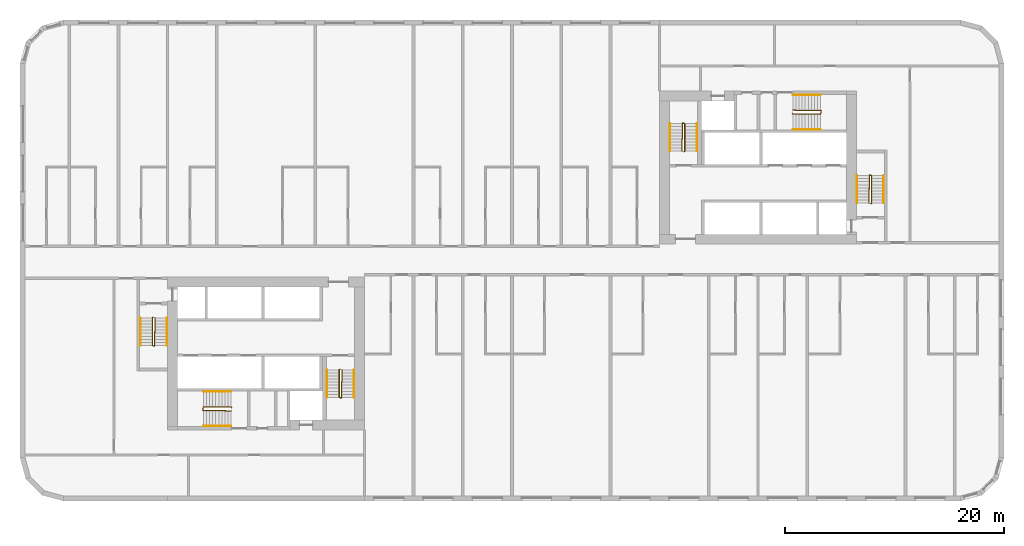
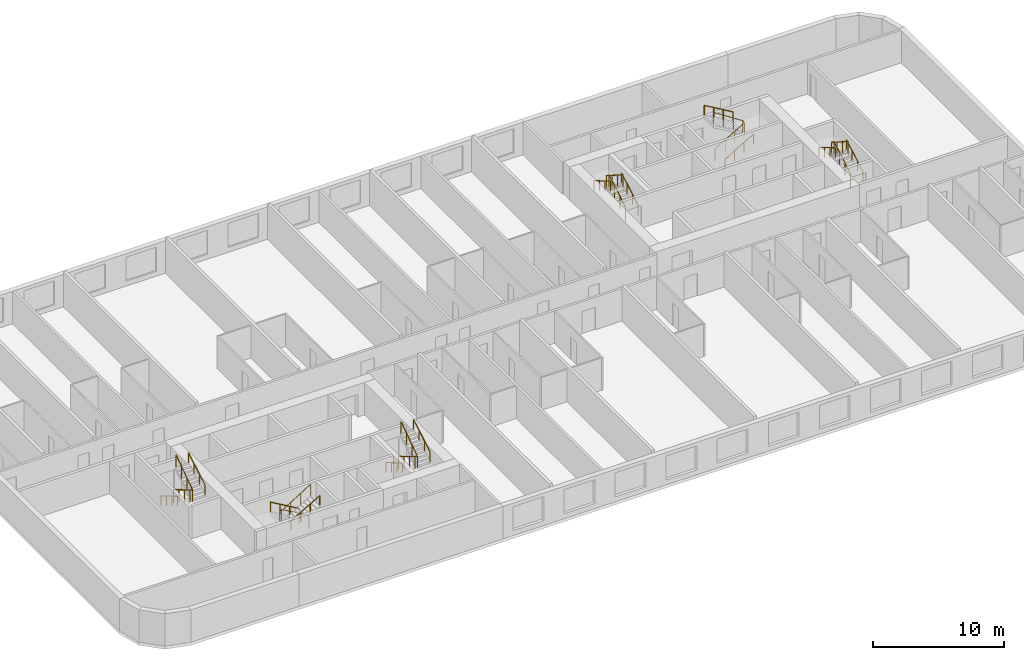
# One storey, part 12 of 12: 18 railings.
"""IFC4 building model written with IfcOpenShell, lengths in metres."""

from ifc_helpers import new_model, si_unit, direction, frame, origin, origin_2d, place, context, subcontext, project, spatial, circle, extrude, material, type_object, element, save


model = new_model("IFC4")

# Units and contexts
model_context = context("Model", 3, precision=1e-05, world=origin(), true_north=direction((0.0, 1.0)))
body_context = subcontext(model_context, "Body", "Model", "MODEL_VIEW")
ifc_project = project(units=[si_unit("LENGTHUNIT", "METRE"), si_unit("AREAUNIT", "SQUARE_METRE"), si_unit("VOLUMEUNIT", "CUBIC_METRE"), si_unit("PLANEANGLEUNIT", "RADIAN"), si_unit("MASSUNIT", "GRAM", prefix="KILO")], contexts=[model_context])

# Site, building, storey
site_placement = place(None, origin())
site = spatial("IfcSite", under=ifc_project, at=site_placement, CompositionType="ELEMENT")
building_placement = place(site_placement, origin())
building = spatial("IfcBuilding", under=site, at=building_placement, Name="Kajstack Hotel Tower", CompositionType="ELEMENT")
storey_placement = place(building_placement, frame((0.0, 0.0, 76.5)))
storey = spatial("IfcBuildingStorey", under=building, at=storey_placement, Name="L14", CompositionType="ELEMENT", Elevation=76.5)

# Railings
ifc_material = material(Name="Steel S355J2", Category="steel")
railing_type_1 = type_object("IfcRailingType", Name="Stair guard 1100", PredefinedType="GUARDRAIL", material=ifc_material)
railing_1_placement = place(storey_placement, frame((-32.85009765625, -5.199951171875, 0.0)))
element("IfcRailing", 1, at=railing_1_placement, inside=storey, type_object=railing_type_1, Name="L14 W1 stair guard 1", PredefinedType="GUARDRAIL", context=body_context, shape_type="SweptSolid", body=[
    extrude(circle(Radius=0.02392578125, at=origin_2d()), frame((0.0, 0.0, 1.076171875), z_axis=(-0.277450376394, -0.278810427259, 0.919394384522), x_axis=(0.708833529934, -0.705375805398, 0.0)), (0.0, 0.0, 1.0), 0.179443359375),
    extrude(circle(Radius=0.02392578125, at=origin_2d()), frame((-0.0498046875, -0.050048828125, 1.2412109375), z_axis=(0.0, -0.861560626758, 0.507654692109), x_axis=(1.0, 0.0, 0.0)), (0.0, 0.0, 1.0), 2.925048828125),
    extrude(circle(Radius=0.02392578125, at=origin_2d()), frame((-0.0498046875, -2.570068359375, 2.72607421875), z_axis=(0.970072785993, -0.242814311512, 0.0), x_axis=(0.242814311512, 0.970072785993, 0.0)), (0.0, 0.0, 1.0), 0.2060546875),
    extrude(circle(Radius=0.02392578125, at=origin_2d()), frame((0.150146484375, -2.6201171875, 2.72607421875), z_axis=(0.016384601254, 0.84136925563, 0.540212292087), x_axis=(-0.999810440751, 0.019470042781, 0.0)), (0.0, 0.0, 1.0), 3.0546875),
    extrude(circle(Radius=0.02099609375, at=origin_2d()), origin(), (0.0, 0.0, 1.0), 1.052001953125),
    extrude(circle(Radius=0.02099609375, at=origin_2d()), frame((-0.0498046875, -0.050048828125, 0.1650390625)), (0.0, 0.0, 1.0), 1.052001953125),
    extrude(circle(Radius=0.02099609375, at=origin_2d()), frame((-0.0498046875, -0.89013671875, 0.659912109375)), (0.0, 0.0, 1.0), 1.052001953125),
    extrude(circle(Radius=0.02099609375, at=origin_2d()), frame((-0.0498046875, -1.72998046875, 1.155029296875)), (0.0, 0.0, 1.0), 1.052001953125),
    extrude(circle(Radius=0.02099609375, at=origin_2d()), frame((-0.0498046875, -2.570068359375, 1.64990234375)), (0.0, 0.0, 1.0), 1.052001953125),
    extrude(circle(Radius=0.02099609375, at=origin_2d()), frame((0.150146484375, -2.6201171875, 1.64990234375)), (0.0, 0.0, 1.0), 1.052001953125),
    extrude(circle(Radius=0.02099609375, at=origin_2d()), frame((0.166748046875, -1.763427734375, 2.199951171875)), (0.0, 0.0, 1.0), 1.052001953125),
    extrude(circle(Radius=0.02099609375, at=origin_2d()), frame((0.18359375, -0.90673828125, 2.75)), (0.0, 0.0, 1.0), 1.052001953125),
    extrude(circle(Radius=0.02099609375, at=origin_2d()), frame((0.2001953125, -0.050048828125, 3.300048828125)), (0.0, 0.0, 1.0), 1.052001953125),
])
railing_2_placement = place(storey_placement, frame((-15.75, -9.949951171875, 0.0)))
element("IfcRailing", 2, at=railing_2_placement, inside=storey, type_object=railing_type_1, Name="L14 W2 stair guard 1", PredefinedType="GUARDRAIL", context=body_context, shape_type="SweptSolid", body=[
    extrude(circle(Radius=0.02392578125, at=origin_2d()), frame((0.0, 0.0, 1.076171875), z_axis=(-0.278705021027, -0.278705021027, 0.919046801044), x_axis=(0.707106781187, -0.707106781187, 0.0)), (0.0, 0.0, 1.0), 0.1796875),
    extrude(circle(Radius=0.02392578125, at=origin_2d()), frame((-0.050048828125, -0.050048828125, 1.2412109375), z_axis=(0.0, -0.861560626758, 0.507654692109), x_axis=(1.0, 0.0, 0.0)), (0.0, 0.0, 1.0), 2.925048828125),
    extrude(circle(Radius=0.02392578125, at=origin_2d()), frame((-0.050048828125, -2.570068359375, 2.72607421875), z_axis=(0.970072785993, -0.242814311512, 0.0), x_axis=(0.242814311512, 0.970072785993, 0.0)), (0.0, 0.0, 1.0), 0.2060546875),
    extrude(circle(Radius=0.02392578125, at=origin_2d()), frame((0.14990234375, -2.6201171875, 2.72607421875), z_axis=(0.016384601254, 0.84136925563, 0.540212292087), x_axis=(-0.999810440751, 0.019470042781, 0.0)), (0.0, 0.0, 1.0), 3.0546875),
    extrude(circle(Radius=0.02099609375, at=origin_2d()), origin(), (0.0, 0.0, 1.0), 1.052001953125),
    extrude(circle(Radius=0.02099609375, at=origin_2d()), frame((-0.050048828125, -0.050048828125, 0.1650390625)), (0.0, 0.0, 1.0), 1.052001953125),
    extrude(circle(Radius=0.02099609375, at=origin_2d()), frame((-0.050048828125, -0.89013671875, 0.659912109375)), (0.0, 0.0, 1.0), 1.052001953125),
    extrude(circle(Radius=0.02099609375, at=origin_2d()), frame((-0.050048828125, -1.72998046875, 1.155029296875)), (0.0, 0.0, 1.0), 1.052001953125),
    extrude(circle(Radius=0.02099609375, at=origin_2d()), frame((-0.050048828125, -2.570068359375, 1.64990234375)), (0.0, 0.0, 1.0), 1.052001953125),
    extrude(circle(Radius=0.02099609375, at=origin_2d()), frame((0.14990234375, -2.6201171875, 1.64990234375)), (0.0, 0.0, 1.0), 1.052001953125),
    extrude(circle(Radius=0.02099609375, at=origin_2d()), frame((0.16650390625, -1.763427734375, 2.199951171875)), (0.0, 0.0, 1.0), 1.052001953125),
    extrude(circle(Radius=0.02099609375, at=origin_2d()), frame((0.183349609375, -0.90673828125, 2.75)), (0.0, 0.0, 1.0), 1.052001953125),
    extrude(circle(Radius=0.02099609375, at=origin_2d()), frame((0.199951171875, -0.050048828125, 3.300048828125)), (0.0, 0.0, 1.0), 1.052001953125),
])
railing_3_placement = place(storey_placement, frame((-25.64990234375, -13.449951171875, 0.0)))
element("IfcRailing", 3, at=railing_3_placement, inside=storey, type_object=railing_type_1, Name="L14 W3 stair guard 1", PredefinedType="GUARDRAIL", context=body_context, shape_type="SweptSolid", body=[
    extrude(circle(Radius=0.02392578125, at=origin_2d()), frame((0.0, 0.0, 1.076171875), z_axis=(-0.278705021027, 0.278705021027, 0.919046801044), x_axis=(-0.707106781187, -0.707106781187, 0.0)), (0.0, 0.0, 1.0), 0.1796875),
    extrude(circle(Radius=0.02392578125, at=origin_2d()), frame((-0.050048828125, 0.050048828125, 1.2412109375), z_axis=(-0.861560626758, 0.0, 0.507654692109), x_axis=(0.0, -1.0, 0.0)), (0.0, 0.0, 1.0), 2.925048828125),
    extrude(circle(Radius=0.02392578125, at=origin_2d()), frame((-2.570068359375, 0.050048828125, 2.72607421875), z_axis=(-0.164529134168, -0.986372223864, 0.0), x_axis=(0.986372223864, -0.164529134168, 0.0)), (0.0, 0.0, 1.0), 0.30419921875),
    extrude(circle(Radius=0.02392578125, at=origin_2d()), frame((-2.6201171875, -0.25, 2.72607421875), z_axis=(0.84136925563, -0.016384601254, 0.540212292087), x_axis=(0.019470042781, 0.999810440751, 0.0)), (0.0, 0.0, 1.0), 3.0546875),
    extrude(circle(Radius=0.02099609375, at=origin_2d()), origin(), (0.0, 0.0, 1.0), 1.052001953125),
    extrude(circle(Radius=0.02099609375, at=origin_2d()), frame((-0.050048828125, 0.050048828125, 0.1650390625)), (0.0, 0.0, 1.0), 1.052001953125),
    extrude(circle(Radius=0.02099609375, at=origin_2d()), frame((-0.89013671875, 0.050048828125, 0.659912109375)), (0.0, 0.0, 1.0), 1.052001953125),
    extrude(circle(Radius=0.02099609375, at=origin_2d()), frame((-1.72998046875, 0.050048828125, 1.155029296875)), (0.0, 0.0, 1.0), 1.052001953125),
    extrude(circle(Radius=0.02099609375, at=origin_2d()), frame((-2.570068359375, 0.050048828125, 1.64990234375)), (0.0, 0.0, 1.0), 1.052001953125),
    extrude(circle(Radius=0.02099609375, at=origin_2d()), frame((-2.6201171875, -0.25, 1.64990234375)), (0.0, 0.0, 1.0), 1.052001953125),
    extrude(circle(Radius=0.02099609375, at=origin_2d()), frame((-1.763427734375, -0.2666015625, 2.199951171875)), (0.0, 0.0, 1.0), 1.052001953125),
    extrude(circle(Radius=0.02099609375, at=origin_2d()), frame((-0.90673828125, -0.283447265625, 2.75)), (0.0, 0.0, 1.0), 1.052001953125),
    extrude(circle(Radius=0.02099609375, at=origin_2d()), frame((-0.050048828125, -0.300048828125, 3.300048828125)), (0.0, 0.0, 1.0), 1.052001953125),
])
railing_4_placement = place(storey_placement, frame((32.85009765625, 5.199951171875, 0.0)))
element("IfcRailing", 4, at=railing_4_placement, inside=storey, type_object=railing_type_1, Name="L14 E1 stair guard 1", PredefinedType="GUARDRAIL", context=body_context, shape_type="SweptSolid", body=[
    extrude(circle(Radius=0.02392578125, at=origin_2d()), frame((0.0, 0.0, 1.076171875), z_axis=(0.277450376394, 0.278810427259, 0.919394384522), x_axis=(-0.708833529934, 0.705375805398, 0.0)), (0.0, 0.0, 1.0), 0.179443359375),
    extrude(circle(Radius=0.02392578125, at=origin_2d()), frame((0.0498046875, 0.050048828125, 1.2412109375), z_axis=(0.0, 0.861560626758, 0.507654692109), x_axis=(-1.0, 0.0, 0.0)), (0.0, 0.0, 1.0), 2.925048828125),
    extrude(circle(Radius=0.02392578125, at=origin_2d()), frame((0.0498046875, 2.570068359375, 2.72607421875), z_axis=(-0.970072785993, 0.242814311512, 0.0), x_axis=(-0.242814311512, -0.970072785993, 0.0)), (0.0, 0.0, 1.0), 0.2060546875),
    extrude(circle(Radius=0.02392578125, at=origin_2d()), frame((-0.150146484375, 2.6201171875, 2.72607421875), z_axis=(-0.016384601254, -0.84136925563, 0.540212292087), x_axis=(0.999810440751, -0.019470042781, 0.0)), (0.0, 0.0, 1.0), 3.0546875),
    extrude(circle(Radius=0.02099609375, at=origin_2d()), origin(), (0.0, 0.0, 1.0), 1.052001953125),
    extrude(circle(Radius=0.02099609375, at=origin_2d()), frame((0.0498046875, 0.050048828125, 0.1650390625)), (0.0, 0.0, 1.0), 1.052001953125),
    extrude(circle(Radius=0.02099609375, at=origin_2d()), frame((0.0498046875, 0.89013671875, 0.659912109375)), (0.0, 0.0, 1.0), 1.052001953125),
    extrude(circle(Radius=0.02099609375, at=origin_2d()), frame((0.0498046875, 1.72998046875, 1.155029296875)), (0.0, 0.0, 1.0), 1.052001953125),
    extrude(circle(Radius=0.02099609375, at=origin_2d()), frame((0.0498046875, 2.570068359375, 1.64990234375)), (0.0, 0.0, 1.0), 1.052001953125),
    extrude(circle(Radius=0.02099609375, at=origin_2d()), frame((-0.150146484375, 2.6201171875, 1.64990234375)), (0.0, 0.0, 1.0), 1.052001953125),
    extrude(circle(Radius=0.02099609375, at=origin_2d()), frame((-0.166748046875, 1.763427734375, 2.199951171875)), (0.0, 0.0, 1.0), 1.052001953125),
    extrude(circle(Radius=0.02099609375, at=origin_2d()), frame((-0.18359375, 0.90673828125, 2.75)), (0.0, 0.0, 1.0), 1.052001953125),
    extrude(circle(Radius=0.02099609375, at=origin_2d()), frame((-0.2001953125, 0.050048828125, 3.300048828125)), (0.0, 0.0, 1.0), 1.052001953125),
])
railing_5_placement = place(storey_placement, frame((15.75, 9.949951171875, 0.0)))
element("IfcRailing", 5, at=railing_5_placement, inside=storey, type_object=railing_type_1, Name="L14 E2 stair guard 1", PredefinedType="GUARDRAIL", context=body_context, shape_type="SweptSolid", body=[
    extrude(circle(Radius=0.02392578125, at=origin_2d()), frame((0.0, 0.0, 1.076171875), z_axis=(0.278705021027, 0.278705021027, 0.919046801044), x_axis=(-0.707106781187, 0.707106781187, 0.0)), (0.0, 0.0, 1.0), 0.1796875),
    extrude(circle(Radius=0.02392578125, at=origin_2d()), frame((0.050048828125, 0.050048828125, 1.2412109375), z_axis=(0.0, 0.861560626758, 0.507654692109), x_axis=(-1.0, 0.0, 0.0)), (0.0, 0.0, 1.0), 2.925048828125),
    extrude(circle(Radius=0.02392578125, at=origin_2d()), frame((0.050048828125, 2.570068359375, 2.72607421875), z_axis=(-0.970072785993, 0.242814311512, 0.0), x_axis=(-0.242814311512, -0.970072785993, 0.0)), (0.0, 0.0, 1.0), 0.2060546875),
    extrude(circle(Radius=0.02392578125, at=origin_2d()), frame((-0.14990234375, 2.6201171875, 2.72607421875), z_axis=(-0.016384601254, -0.84136925563, 0.540212292087), x_axis=(0.999810440751, -0.019470042781, 0.0)), (0.0, 0.0, 1.0), 3.0546875),
    extrude(circle(Radius=0.02099609375, at=origin_2d()), origin(), (0.0, 0.0, 1.0), 1.052001953125),
    extrude(circle(Radius=0.02099609375, at=origin_2d()), frame((0.050048828125, 0.050048828125, 0.1650390625)), (0.0, 0.0, 1.0), 1.052001953125),
    extrude(circle(Radius=0.02099609375, at=origin_2d()), frame((0.050048828125, 0.89013671875, 0.659912109375)), (0.0, 0.0, 1.0), 1.052001953125),
    extrude(circle(Radius=0.02099609375, at=origin_2d()), frame((0.050048828125, 1.72998046875, 1.155029296875)), (0.0, 0.0, 1.0), 1.052001953125),
    extrude(circle(Radius=0.02099609375, at=origin_2d()), frame((0.050048828125, 2.570068359375, 1.64990234375)), (0.0, 0.0, 1.0), 1.052001953125),
    extrude(circle(Radius=0.02099609375, at=origin_2d()), frame((-0.14990234375, 2.6201171875, 1.64990234375)), (0.0, 0.0, 1.0), 1.052001953125),
    extrude(circle(Radius=0.02099609375, at=origin_2d()), frame((-0.16650390625, 1.763427734375, 2.199951171875)), (0.0, 0.0, 1.0), 1.052001953125),
    extrude(circle(Radius=0.02099609375, at=origin_2d()), frame((-0.183349609375, 0.90673828125, 2.75)), (0.0, 0.0, 1.0), 1.052001953125),
    extrude(circle(Radius=0.02099609375, at=origin_2d()), frame((-0.199951171875, 0.050048828125, 3.300048828125)), (0.0, 0.0, 1.0), 1.052001953125),
])
railing_6_placement = place(storey_placement, frame((25.64990234375, 13.449951171875, 0.0)))
element("IfcRailing", 6, at=railing_6_placement, inside=storey, type_object=railing_type_1, Name="L14 E3 stair guard 1", PredefinedType="GUARDRAIL", context=body_context, shape_type="SweptSolid", body=[
    extrude(circle(Radius=0.02392578125, at=origin_2d()), frame((0.0, 0.0, 1.076171875), z_axis=(0.278705021027, -0.278705021027, 0.919046801044), x_axis=(0.707106781187, 0.707106781187, 0.0)), (0.0, 0.0, 1.0), 0.1796875),
    extrude(circle(Radius=0.02392578125, at=origin_2d()), frame((0.050048828125, -0.050048828125, 1.2412109375), z_axis=(0.861560626758, 0.0, 0.507654692109), x_axis=(0.0, 1.0, 0.0)), (0.0, 0.0, 1.0), 2.925048828125),
    extrude(circle(Radius=0.02392578125, at=origin_2d()), frame((2.570068359375, -0.050048828125, 2.72607421875), z_axis=(0.164529134168, 0.986372223864, 0.0), x_axis=(-0.986372223864, 0.164529134168, 0.0)), (0.0, 0.0, 1.0), 0.30419921875),
    extrude(circle(Radius=0.02392578125, at=origin_2d()), frame((2.6201171875, 0.25, 2.72607421875), z_axis=(-0.84136925563, 0.016384601254, 0.540212292087), x_axis=(-0.019470042781, -0.999810440751, 0.0)), (0.0, 0.0, 1.0), 3.0546875),
    extrude(circle(Radius=0.02099609375, at=origin_2d()), origin(), (0.0, 0.0, 1.0), 1.052001953125),
    extrude(circle(Radius=0.02099609375, at=origin_2d()), frame((0.050048828125, -0.050048828125, 0.1650390625)), (0.0, 0.0, 1.0), 1.052001953125),
    extrude(circle(Radius=0.02099609375, at=origin_2d()), frame((0.89013671875, -0.050048828125, 0.659912109375)), (0.0, 0.0, 1.0), 1.052001953125),
    extrude(circle(Radius=0.02099609375, at=origin_2d()), frame((1.72998046875, -0.050048828125, 1.155029296875)), (0.0, 0.0, 1.0), 1.052001953125),
    extrude(circle(Radius=0.02099609375, at=origin_2d()), frame((2.570068359375, -0.050048828125, 1.64990234375)), (0.0, 0.0, 1.0), 1.052001953125),
    extrude(circle(Radius=0.02099609375, at=origin_2d()), frame((2.6201171875, 0.25, 1.64990234375)), (0.0, 0.0, 1.0), 1.052001953125),
    extrude(circle(Radius=0.02099609375, at=origin_2d()), frame((1.763427734375, 0.2666015625, 2.199951171875)), (0.0, 0.0, 1.0), 1.052001953125),
    extrude(circle(Radius=0.02099609375, at=origin_2d()), frame((0.90673828125, 0.283447265625, 2.75)), (0.0, 0.0, 1.0), 1.052001953125),
    extrude(circle(Radius=0.02099609375, at=origin_2d()), frame((0.050048828125, 0.300048828125, 3.300048828125)), (0.0, 0.0, 1.0), 1.052001953125),
])
railing_type_2 = type_object("IfcRailingType", Name="Stair handrail 900", PredefinedType="HANDRAIL", material=ifc_material)
railing_7_placement = place(storey_placement, frame((-34.0, -5.25, 0.1650390625)))
element("IfcRailing", 7, at=railing_7_placement, inside=storey, type_object=railing_type_2, Name="L14 W1 stair handrail 1", PredefinedType="HANDRAIL", context=body_context, shape_type="SweptSolid", body=[
    extrude(circle(Radius=0.02392578125, at=origin_2d()), frame((0.0, 0.0, 0.8759765625), z_axis=(0.0, -0.861560626758, 0.507654692109), x_axis=(1.0, 0.0, 0.0)), (0.0, 0.0, 1.0), 2.925048828125),
    extrude(circle(Radius=0.02099609375, at=origin_2d()), origin(), (0.0, 0.0, 1.0), 0.851806640625),
    extrude(circle(Radius=0.02099609375, at=origin_2d()), frame((0.0, -0.840087890625, 0.494873046875)), (0.0, 0.0, 1.0), 0.851806640625),
    extrude(circle(Radius=0.02099609375, at=origin_2d()), frame((0.0, -1.679931640625, 0.989990234375)), (0.0, 0.0, 1.0), 0.851806640625),
    extrude(circle(Radius=0.02099609375, at=origin_2d()), frame((0.0, -2.52001953125, 1.48486328125)), (0.0, 0.0, 1.0), 0.851806640625),
])
railing_8_placement = place(storey_placement, frame((-31.550048828125, -7.77001953125, 1.81494140625)))
element("IfcRailing", 8, at=railing_8_placement, inside=storey, type_object=railing_type_2, Name="L14 W1 stair handrail 2", PredefinedType="HANDRAIL", context=body_context, shape_type="SweptSolid", body=[
    extrude(circle(Radius=0.02392578125, at=origin_2d()), frame((0.0, 0.0, 0.8759765625), z_axis=(0.0, 0.86152411907, 0.507716645641), x_axis=(-1.0, 0.0, 0.0)), (0.0, 0.0, 1.0), 2.925048828125),
    extrude(circle(Radius=0.02099609375, at=origin_2d()), origin(), (0.0, 0.0, 1.0), 0.851806640625),
    extrude(circle(Radius=0.02099609375, at=origin_2d()), frame((0.0, 0.840087890625, 0.4951171875)), (0.0, 0.0, 1.0), 0.851806640625),
    extrude(circle(Radius=0.02099609375, at=origin_2d()), frame((0.0, 1.679931640625, 0.989990234375)), (0.0, 0.0, 1.0), 0.851806640625),
    extrude(circle(Radius=0.02099609375, at=origin_2d()), frame((0.0, 2.52001953125, 1.485107421875)), (0.0, 0.0, 1.0), 0.851806640625),
])
railing_9_placement = place(storey_placement, frame((-16.89990234375, -10.0, 0.1650390625)))
element("IfcRailing", 9, at=railing_9_placement, inside=storey, type_object=railing_type_2, Name="L14 W2 stair handrail 1", PredefinedType="HANDRAIL", context=body_context, shape_type="SweptSolid", body=[
    extrude(circle(Radius=0.02392578125, at=origin_2d()), frame((0.0, 0.0, 0.8759765625), z_axis=(0.0, -0.861560626758, 0.507654692109), x_axis=(1.0, 0.0, 0.0)), (0.0, 0.0, 1.0), 2.925048828125),
    extrude(circle(Radius=0.02099609375, at=origin_2d()), origin(), (0.0, 0.0, 1.0), 0.851806640625),
    extrude(circle(Radius=0.02099609375, at=origin_2d()), frame((0.0, -0.840087890625, 0.494873046875)), (0.0, 0.0, 1.0), 0.851806640625),
    extrude(circle(Radius=0.02099609375, at=origin_2d()), frame((0.0, -1.679931640625, 0.989990234375)), (0.0, 0.0, 1.0), 0.851806640625),
    extrude(circle(Radius=0.02099609375, at=origin_2d()), frame((0.0, -2.52001953125, 1.48486328125)), (0.0, 0.0, 1.0), 0.851806640625),
])
railing_10_placement = place(storey_placement, frame((-14.449951171875, -12.52001953125, 1.81494140625)))
element("IfcRailing", 10, at=railing_10_placement, inside=storey, type_object=railing_type_2, Name="L14 W2 stair handrail 2", PredefinedType="HANDRAIL", context=body_context, shape_type="SweptSolid", body=[
    extrude(circle(Radius=0.02392578125, at=origin_2d()), frame((0.0, 0.0, 0.8759765625), z_axis=(0.0, 0.86152411907, 0.507716645641), x_axis=(-1.0, 0.0, 0.0)), (0.0, 0.0, 1.0), 2.925048828125),
    extrude(circle(Radius=0.02099609375, at=origin_2d()), origin(), (0.0, 0.0, 1.0), 0.851806640625),
    extrude(circle(Radius=0.02099609375, at=origin_2d()), frame((0.0, 0.840087890625, 0.4951171875)), (0.0, 0.0, 1.0), 0.851806640625),
    extrude(circle(Radius=0.02099609375, at=origin_2d()), frame((0.0, 1.679931640625, 0.989990234375)), (0.0, 0.0, 1.0), 0.851806640625),
    extrude(circle(Radius=0.02099609375, at=origin_2d()), frame((0.0, 2.52001953125, 1.485107421875)), (0.0, 0.0, 1.0), 0.851806640625),
])
railing_11_placement = place(storey_placement, frame((-25.699951171875, -12.0, 0.1650390625)))
element("IfcRailing", 11, at=railing_11_placement, inside=storey, type_object=railing_type_2, Name="L14 W3 stair handrail 1", PredefinedType="HANDRAIL", context=body_context, shape_type="SweptSolid", body=[
    extrude(circle(Radius=0.02392578125, at=origin_2d()), frame((0.0, 0.0, 0.8759765625), z_axis=(-0.861560626758, 0.0, 0.507654692109), x_axis=(0.0, -1.0, 0.0)), (0.0, 0.0, 1.0), 2.925048828125),
    extrude(circle(Radius=0.02099609375, at=origin_2d()), origin(), (0.0, 0.0, 1.0), 0.851806640625),
    extrude(circle(Radius=0.02099609375, at=origin_2d()), frame((-0.840087890625, 0.0, 0.494873046875)), (0.0, 0.0, 1.0), 0.851806640625),
    extrude(circle(Radius=0.02099609375, at=origin_2d()), frame((-1.679931640625, 0.0, 0.989990234375)), (0.0, 0.0, 1.0), 0.851806640625),
    extrude(circle(Radius=0.02099609375, at=origin_2d()), frame((-2.52001953125, 0.0, 1.48486328125)), (0.0, 0.0, 1.0), 0.851806640625),
])
railing_12_placement = place(storey_placement, frame((-28.219970703125, -15.14990234375, 1.81494140625)))
element("IfcRailing", 12, at=railing_12_placement, inside=storey, type_object=railing_type_2, Name="L14 W3 stair handrail 2", PredefinedType="HANDRAIL", context=body_context, shape_type="SweptSolid", body=[
    extrude(circle(Radius=0.02392578125, at=origin_2d()), frame((0.0, 0.0, 0.8759765625), z_axis=(0.86152411907, 0.0, 0.507716645641), x_axis=(0.0, 1.0, 0.0)), (0.0, 0.0, 1.0), 2.925048828125),
    extrude(circle(Radius=0.02099609375, at=origin_2d()), origin(), (0.0, 0.0, 1.0), 0.851806640625),
    extrude(circle(Radius=0.02099609375, at=origin_2d()), frame((0.840087890625, 0.0, 0.4951171875)), (0.0, 0.0, 1.0), 0.851806640625),
    extrude(circle(Radius=0.02099609375, at=origin_2d()), frame((1.679931640625, 0.0, 0.989990234375)), (0.0, 0.0, 1.0), 0.851806640625),
    extrude(circle(Radius=0.02099609375, at=origin_2d()), frame((2.52001953125, 0.0, 1.485107421875)), (0.0, 0.0, 1.0), 0.851806640625),
])
railing_13_placement = place(storey_placement, frame((34.0, 5.25, 0.1650390625)))
element("IfcRailing", 13, at=railing_13_placement, inside=storey, type_object=railing_type_2, Name="L14 E1 stair handrail 1", PredefinedType="HANDRAIL", context=body_context, shape_type="SweptSolid", body=[
    extrude(circle(Radius=0.02392578125, at=origin_2d()), frame((0.0, 0.0, 0.8759765625), z_axis=(0.0, 0.861560626758, 0.507654692109), x_axis=(-1.0, 0.0, 0.0)), (0.0, 0.0, 1.0), 2.925048828125),
    extrude(circle(Radius=0.02099609375, at=origin_2d()), origin(), (0.0, 0.0, 1.0), 0.851806640625),
    extrude(circle(Radius=0.02099609375, at=origin_2d()), frame((0.0, 0.840087890625, 0.494873046875)), (0.0, 0.0, 1.0), 0.851806640625),
    extrude(circle(Radius=0.02099609375, at=origin_2d()), frame((0.0, 1.679931640625, 0.989990234375)), (0.0, 0.0, 1.0), 0.851806640625),
    extrude(circle(Radius=0.02099609375, at=origin_2d()), frame((0.0, 2.52001953125, 1.48486328125)), (0.0, 0.0, 1.0), 0.851806640625),
])
railing_14_placement = place(storey_placement, frame((31.550048828125, 7.77001953125, 1.81494140625)))
element("IfcRailing", 14, at=railing_14_placement, inside=storey, type_object=railing_type_2, Name="L14 E1 stair handrail 2", PredefinedType="HANDRAIL", context=body_context, shape_type="SweptSolid", body=[
    extrude(circle(Radius=0.02392578125, at=origin_2d()), frame((0.0, 0.0, 0.8759765625), z_axis=(0.0, -0.86152411907, 0.507716645641), x_axis=(1.0, 0.0, 0.0)), (0.0, 0.0, 1.0), 2.925048828125),
    extrude(circle(Radius=0.02099609375, at=origin_2d()), origin(), (0.0, 0.0, 1.0), 0.851806640625),
    extrude(circle(Radius=0.02099609375, at=origin_2d()), frame((0.0, -0.840087890625, 0.4951171875)), (0.0, 0.0, 1.0), 0.851806640625),
    extrude(circle(Radius=0.02099609375, at=origin_2d()), frame((0.0, -1.679931640625, 0.989990234375)), (0.0, 0.0, 1.0), 0.851806640625),
    extrude(circle(Radius=0.02099609375, at=origin_2d()), frame((0.0, -2.52001953125, 1.485107421875)), (0.0, 0.0, 1.0), 0.851806640625),
])
railing_15_placement = place(storey_placement, frame((16.89990234375, 10.0, 0.1650390625)))
element("IfcRailing", 15, at=railing_15_placement, inside=storey, type_object=railing_type_2, Name="L14 E2 stair handrail 1", PredefinedType="HANDRAIL", context=body_context, shape_type="SweptSolid", body=[
    extrude(circle(Radius=0.02392578125, at=origin_2d()), frame((0.0, 0.0, 0.8759765625), z_axis=(0.0, 0.861560626758, 0.507654692109), x_axis=(-1.0, 0.0, 0.0)), (0.0, 0.0, 1.0), 2.925048828125),
    extrude(circle(Radius=0.02099609375, at=origin_2d()), origin(), (0.0, 0.0, 1.0), 0.851806640625),
    extrude(circle(Radius=0.02099609375, at=origin_2d()), frame((0.0, 0.840087890625, 0.494873046875)), (0.0, 0.0, 1.0), 0.851806640625),
    extrude(circle(Radius=0.02099609375, at=origin_2d()), frame((0.0, 1.679931640625, 0.989990234375)), (0.0, 0.0, 1.0), 0.851806640625),
    extrude(circle(Radius=0.02099609375, at=origin_2d()), frame((0.0, 2.52001953125, 1.48486328125)), (0.0, 0.0, 1.0), 0.851806640625),
])
railing_16_placement = place(storey_placement, frame((14.449951171875, 12.52001953125, 1.81494140625)))
element("IfcRailing", 16, at=railing_16_placement, inside=storey, type_object=railing_type_2, Name="L14 E2 stair handrail 2", PredefinedType="HANDRAIL", context=body_context, shape_type="SweptSolid", body=[
    extrude(circle(Radius=0.02392578125, at=origin_2d()), frame((0.0, 0.0, 0.8759765625), z_axis=(0.0, -0.86152411907, 0.507716645641), x_axis=(1.0, 0.0, 0.0)), (0.0, 0.0, 1.0), 2.925048828125),
    extrude(circle(Radius=0.02099609375, at=origin_2d()), origin(), (0.0, 0.0, 1.0), 0.851806640625),
    extrude(circle(Radius=0.02099609375, at=origin_2d()), frame((0.0, -0.840087890625, 0.4951171875)), (0.0, 0.0, 1.0), 0.851806640625),
    extrude(circle(Radius=0.02099609375, at=origin_2d()), frame((0.0, -1.679931640625, 0.989990234375)), (0.0, 0.0, 1.0), 0.851806640625),
    extrude(circle(Radius=0.02099609375, at=origin_2d()), frame((0.0, -2.52001953125, 1.485107421875)), (0.0, 0.0, 1.0), 0.851806640625),
])
railing_17_placement = place(storey_placement, frame((25.699951171875, 12.0, 0.1650390625)))
element("IfcRailing", 17, at=railing_17_placement, inside=storey, type_object=railing_type_2, Name="L14 E3 stair handrail 1", PredefinedType="HANDRAIL", context=body_context, shape_type="SweptSolid", body=[
    extrude(circle(Radius=0.02392578125, at=origin_2d()), frame((0.0, 0.0, 0.8759765625), z_axis=(0.861560626758, 0.0, 0.507654692109), x_axis=(0.0, 1.0, 0.0)), (0.0, 0.0, 1.0), 2.925048828125),
    extrude(circle(Radius=0.02099609375, at=origin_2d()), origin(), (0.0, 0.0, 1.0), 0.851806640625),
    extrude(circle(Radius=0.02099609375, at=origin_2d()), frame((0.840087890625, 0.0, 0.494873046875)), (0.0, 0.0, 1.0), 0.851806640625),
    extrude(circle(Radius=0.02099609375, at=origin_2d()), frame((1.679931640625, 0.0, 0.989990234375)), (0.0, 0.0, 1.0), 0.851806640625),
    extrude(circle(Radius=0.02099609375, at=origin_2d()), frame((2.52001953125, 0.0, 1.48486328125)), (0.0, 0.0, 1.0), 0.851806640625),
])
railing_18_placement = place(storey_placement, frame((28.219970703125, 15.14990234375, 1.81494140625)))
element("IfcRailing", 18, at=railing_18_placement, inside=storey, type_object=railing_type_2, Name="L14 E3 stair handrail 2", PredefinedType="HANDRAIL", context=body_context, shape_type="SweptSolid", body=[
    extrude(circle(Radius=0.02392578125, at=origin_2d()), frame((0.0, 0.0, 0.8759765625), z_axis=(-0.86152411907, 0.0, 0.507716645641), x_axis=(0.0, -1.0, 0.0)), (0.0, 0.0, 1.0), 2.925048828125),
    extrude(circle(Radius=0.02099609375, at=origin_2d()), origin(), (0.0, 0.0, 1.0), 0.851806640625),
    extrude(circle(Radius=0.02099609375, at=origin_2d()), frame((-0.840087890625, 0.0, 0.4951171875)), (0.0, 0.0, 1.0), 0.851806640625),
    extrude(circle(Radius=0.02099609375, at=origin_2d()), frame((-1.679931640625, 0.0, 0.989990234375)), (0.0, 0.0, 1.0), 0.851806640625),
    extrude(circle(Radius=0.02099609375, at=origin_2d()), frame((-2.52001953125, 0.0, 1.485107421875)), (0.0, 0.0, 1.0), 0.851806640625),
])

save(model, "model.ifc")
